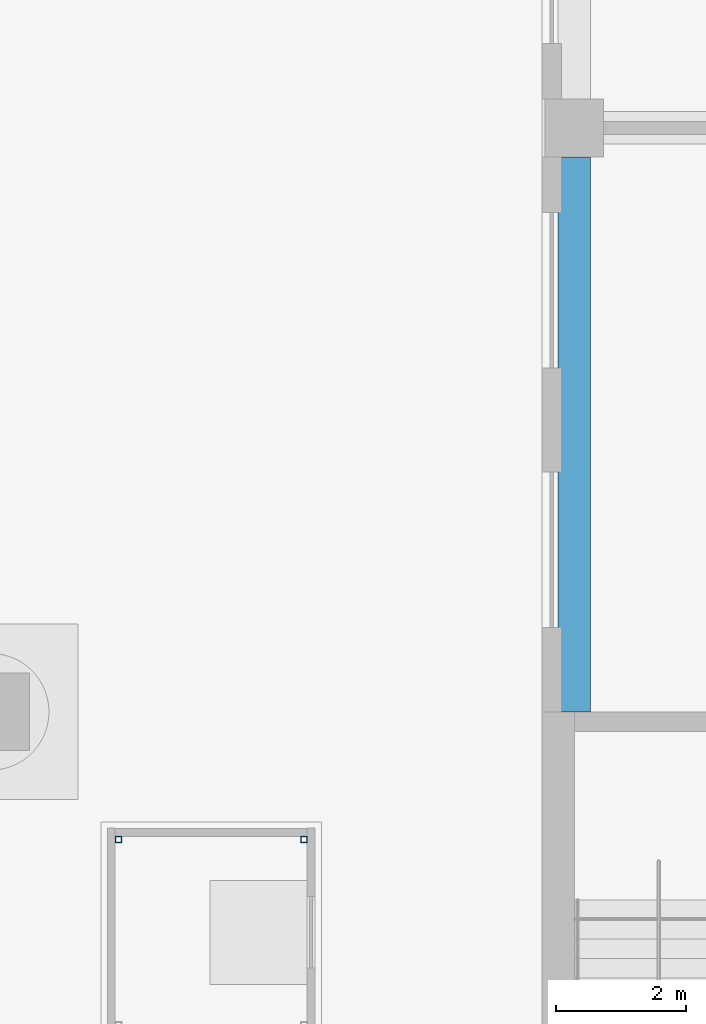
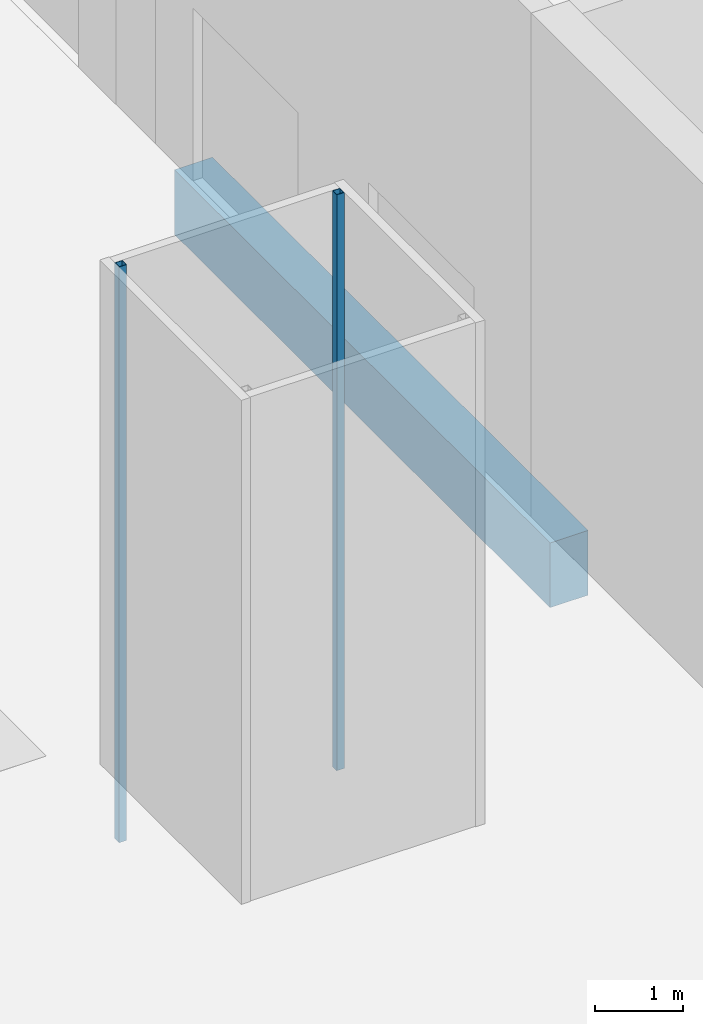
# One storey, part 10 of 92: 2 members, 1 beam.
"""IFC4 building model written with IfcOpenShell, lengths in metres."""

from ifc_helpers import new_model, si_unit, direction, frame, origin, origin_2d, place, context, subcontext, project, spatial, rectangle, hollow_rectangle, extrude, material, material_profile, profile_set, type_object, element, save


model = new_model("IFC4")

# Units and contexts
model_context = context("Model", 3, precision=1e-05, world=origin(), true_north=direction((0.0, 1.0)))
body_context = subcontext(model_context, "Body", "Model", "MODEL_VIEW")
ifc_project = project(units=[si_unit("LENGTHUNIT", "METRE"), si_unit("AREAUNIT", "SQUARE_METRE"), si_unit("VOLUMEUNIT", "CUBIC_METRE"), si_unit("PLANEANGLEUNIT", "RADIAN"), si_unit("MASSUNIT", "GRAM", prefix="KILO")], contexts=[model_context])

# Site, building, storey
site_placement = place(None, origin())
site = spatial("IfcSite", under=ifc_project, at=site_placement, CompositionType="ELEMENT")
building_placement = place(site_placement, origin())
building = spatial("IfcBuilding", under=site, at=building_placement, Name="Silverbay Arena", CompositionType="ELEMENT")
storey_placement = place(building_placement, origin())
storey = spatial("IfcBuildingStorey", under=building, at=storey_placement, Name="L00", CompositionType="ELEMENT", Elevation=0.0)

# Members
ifc_material_1 = material(Name="Steel S355", Category="steel")
ifc_material_profile_1 = material_profile(ifc_material_1, hollow_rectangle(XDim=0.10009765625, YDim=0.10009765625, WallThickness=0.006103515625, at=origin_2d()), Name="RHS 100x100x6")
ifc_profile_set_1 = profile_set([ifc_material_profile_1], Name="Steel S355")
member_type = type_object("IfcMemberType", Name="Glazing post RHS 100 x 100 x 6", PredefinedType="POST", material=ifc_profile_set_1)
for number, where, z_axis, x_axis, name in (
    (1, (22.830078125, 34.030029296875, -1.0), (0.0, 0.0, 1.0), (1.0, 0.0, 0.0), "Glazing post LB-D1 3 L00"),
    (2, (19.969970703125, 34.030029296875, -1.0), (0.0, 0.0, 1.0), (1.0, 0.0, 0.0), "Glazing post LB-D1 4 L00"),
):
    element("IfcMember", number, at=place(storey_placement, frame(where, z_axis=z_axis, x_axis=x_axis)), inside=storey, type_object=member_type, Name=name, PredefinedType="POST", context=body_context, shape_type="SweptSolid", body=[
        extrude(hollow_rectangle(XDim=0.10009765625, YDim=0.10009765625, WallThickness=0.006103515625, at=origin_2d()), origin(), (0.0, 0.0, 1.0), 8.0),
    ])

# Beam
ifc_material_2 = material(Name="Concrete Grade C45", Category="concrete")
ifc_material_profile_2 = material_profile(ifc_material_2, rectangle(XDim=0.5, YDim=0.89990234375, at=origin_2d()), Name="RC 500x900")
ifc_profile_set_2 = profile_set([ifc_material_profile_2], Name="Concrete Grade C45")
beam_type = type_object("IfcBeamType", Name="RC beam 500x900", PredefinedType="BEAM", material=ifc_profile_set_2)
beam_placement = place(storey_placement, frame((27.0, 36.0, -0.89990234375), z_axis=(0.0, 1.0, 0.0), x_axis=(-1.0, 0.0, 0.0)))
element("IfcBeam", 3, at=beam_placement, inside=storey, type_object=beam_type, Name="Floor beam L00 236", PredefinedType="BEAM", context=body_context, shape_type="SweptSolid", body=[
    extrude(rectangle(XDim=0.5, YDim=0.89990234375, at=origin_2d()), origin(), (0.0, 0.0, 1.0), 8.550048828125),
])

save(model, "model.ifc")
